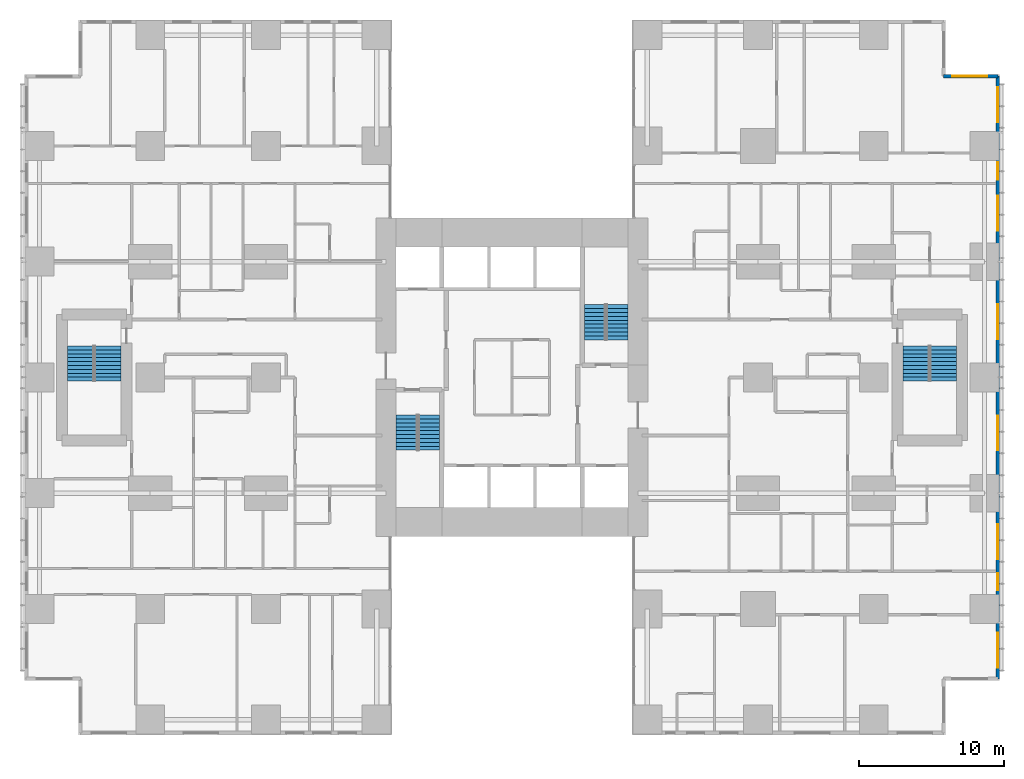
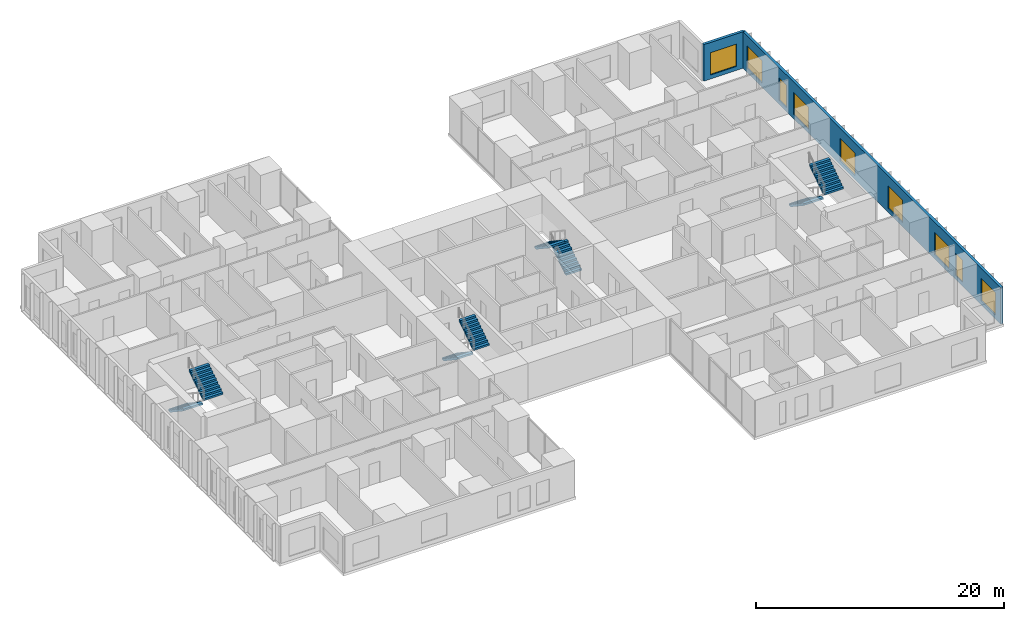
# One storey, part 19 of 20: 9 windows, 8 stair flights, 2 walls, 9 openings, 4 elements without a shape of their own.
"""IFC4 building model written with IfcOpenShell, lengths in metres."""

import ifcopenshell
import ifcopenshell.guid

model = None  # the IFC model being written
_history = None  # IfcOwnerHistory: only IFC2X3 demands one
_inside = {}  # id of a spatial element -> (the spatial element, [elements in it])
_under = {}  # id of a project, library or spatial element -> (it, [spatial elements below it])
_declared = {}  # id of a project -> (the project, [libraries it declares])
_typed = {}  # id of a type object -> (the type object, [elements of that type])
_made_of = {}  # id of a material, layer set ... -> (it, [elements and type objects made of it])


def new_model(schema):
    """Start an empty IFC model of exactly this schema.

    Asked for "IFC4X3", IfcOpenShell would pick the latest addendum, in which some entities
    have other attributes; the version numbers below select the first issue.
    IFC2X3 requires an IfcOwnerHistory on every rooted entity: one is made here for all.
    """
    global model, _history
    if schema == "IFC4X3":
        model = ifcopenshell.file(schema_version=(4, 3, 0, 0))
    else:
        model = ifcopenshell.file(schema=schema)
    _inside.clear()
    _under.clear()
    _declared.clear()
    _typed.clear()
    _made_of.clear()
    _history = None
    if model.schema == "IFC2X3":
        org = make("IfcOrganization", Name="unknown")
        user = make(
            "IfcPersonAndOrganization",
            ThePerson=make("IfcPerson", FamilyName="unknown"),
            TheOrganization=org,
        )
        app = make(
            "IfcApplication",
            ApplicationDeveloper=org,
            Version="unknown",
            ApplicationFullName="unknown",
            ApplicationIdentifier="unknown",
        )
        _history = make(
            "IfcOwnerHistory",
            OwningUser=user,
            OwningApplication=app,
            ChangeAction="ADDED",
            CreationDate=0,
        )
    return model


def make(cls, **values):
    """One entity of the class cls with the attributes given. An attribute that is None is left unset."""
    return model.create_entity(
        cls, **{name: value for name, value in values.items() if value is not None}
    )


def rooted(cls, **values):
    """An entity with a GlobalId (a new one), such as an element, a storey or a relation."""
    return make(cls, GlobalId=ifcopenshell.guid.new(), OwnerHistory=_history, **values)


def si_unit(unit_type, name, prefix=None):
    """IfcSIUnit, for example si_unit("LENGTHUNIT", "METRE", prefix="MILLI")."""
    return make("IfcSIUnit", UnitType=unit_type, Prefix=prefix, Name=name)


def assignment(units):
    """IfcUnitAssignment: the units of a project."""
    return None if units is None else make("IfcUnitAssignment", Units=units)


def point(xyz):
    """IfcCartesianPoint."""
    return None if xyz is None else make("IfcCartesianPoint", Coordinates=xyz)


def direction(xyz):
    """IfcDirection."""
    return None if xyz is None else make("IfcDirection", DirectionRatios=xyz)


def frame(location, z_axis=None, x_axis=None):
    """IfcAxis2Placement3D, a coordinate frame: its origin and axes. An axis left out is left unset."""
    return make(
        "IfcAxis2Placement3D",
        Location=point(location),
        Axis=direction(z_axis),
        RefDirection=direction(x_axis),
    )


def frame_2d(location, x_axis=None):
    """IfcAxis2Placement2D, a coordinate frame in the plane: its origin and x axis."""
    return make(
        "IfcAxis2Placement2D", Location=point(location), RefDirection=direction(x_axis)
    )


def origin():
    """The frame at (0, 0, 0) with its axes left unset."""
    return frame((0.0, 0.0, 0.0))


def place(relative_to, where):
    """IfcLocalPlacement: puts the frame where relative to a parent placement (None: the world)."""
    return make(
        "IfcLocalPlacement", PlacementRelTo=relative_to, RelativePlacement=where
    )


def context(
    kind, dimensions, precision=None, world=None, true_north=None, identifier=None
):
    """IfcGeometricRepresentationContext, for example the 3D "Model" context."""
    return make(
        "IfcGeometricRepresentationContext",
        ContextIdentifier=identifier,
        ContextType=kind,
        CoordinateSpaceDimension=dimensions,
        Precision=precision,
        WorldCoordinateSystem=world,
        TrueNorth=true_north,
    )


def subcontext(parent, identifier, kind, view, scale=None):
    """IfcGeometricRepresentationSubContext, for example "Body" below "Model"."""
    return make(
        "IfcGeometricRepresentationSubContext",
        ContextIdentifier=identifier,
        ContextType=kind,
        ParentContext=parent,
        TargetScale=scale,
        TargetView=view,
    )


def project(units=None, contexts=None):
    """IfcProject with its units and contexts."""
    return rooted(
        "IfcProject",
        Name="project",
        RepresentationContexts=contexts,
        UnitsInContext=assignment(units),
    )


def spatial(cls, under=None, at=None, **own):
    """A site, building, storey or space (cls), placed at a placement, below another one or the project."""
    s = rooted(cls, ObjectPlacement=at, **own)
    if under is not None:
        _under.setdefault(under.id(), (under, []))[1].append(s)
    return s


def polyline(points):
    """IfcPolyline through the points."""
    return make("IfcPolyline", Points=[point(p) for p in points])


def profile(cls, at=None, kind="AREA", **sizes):
    """A parametric profile (cls). Its sizes go by their IFC names, for example OverallWidth=200.0."""
    return make(cls, ProfileType=kind, Position=at, **sizes)


def rectangle(**sizes):
    """IfcRectangleProfileDef."""
    return profile("IfcRectangleProfileDef", **sizes)


def outline(outer, holes=None, kind="AREA"):
    """IfcArbitraryClosedProfileDef: a profile drawn as a closed curve; with holes, ...WithVoids."""
    if holes is None:
        return make("IfcArbitraryClosedProfileDef", ProfileType=kind, OuterCurve=outer)
    return make(
        "IfcArbitraryProfileDefWithVoids",
        ProfileType=kind,
        OuterCurve=outer,
        InnerCurves=holes,
    )


def extrude(swept, where, along, depth):
    """IfcExtrudedAreaSolid: the profile swept, set in the frame where, extruded along a direction by depth."""
    return make(
        "IfcExtrudedAreaSolid",
        SweptArea=swept,
        Position=where,
        ExtrudedDirection=direction(along),
        Depth=depth,
    )


def shape(context_of_items, identifier, shape_type, items):
    """IfcShapeRepresentation: the items that make up one representation, for example the "Body"."""
    return make(
        "IfcShapeRepresentation",
        ContextOfItems=context_of_items,
        RepresentationIdentifier=identifier,
        RepresentationType=shape_type,
        Items=items,
    )


def material(Name=None, Category=None):
    """IfcMaterial."""
    return make("IfcMaterial", Name=Name, Category=Category)


def layer(
    of_material, thickness, ventilated=None, Name=None, Category=None, Priority=None
):
    """IfcMaterialLayer: one layer of a wall or slab, of a material (None: an air gap)."""
    return make(
        "IfcMaterialLayer",
        Material=of_material,
        LayerThickness=thickness,
        IsVentilated=ventilated,
        Name=Name,
        Category=Category,
        Priority=Priority,
    )


def layer_set(layers, Name=None):
    """IfcMaterialLayerSet."""
    return make("IfcMaterialLayerSet", MaterialLayers=layers, LayerSetName=Name)


def made_of(thing, what):
    """Note that an element or type object is made of a material, layer set ...; save() writes the relation."""
    if what is not None:
        _made_of.setdefault(what.id(), (what, []))[1].append(thing)
    return thing


def type_object(cls, material=None, **own):
    """A type object (cls), such as IfcWallType, which elements share."""
    return made_of(rooted(cls, **own), material)


def element(
    cls,
    number,
    at=None,
    inside=None,
    cuts=None,
    type_object=None,
    material=None,
    context=None,
    identifier="Body",
    shape_type=None,
    held_by="IfcProductDefinitionShape",
    body=None,
    shapes=None,
    **own,
):
    """One element of the class cls, such as IfcWall. Its Tag is "e" and its number.

    at: its placement. inside: the storey or other place that contains it. cuts: it is an
    opening in that element (IfcRelVoidsElement). A single representation is given by context,
    identifier, shape_type and body (its items); several are given by shapes. held_by: the class
    of the entity that holds the representations. save() writes the other relations.
    """
    e = rooted(cls, Tag="e%d" % number, ObjectPlacement=at, **own)
    if body is not None:
        shapes = [shape(context, identifier, shape_type, body)]
    if shapes is not None:
        e.Representation = make(held_by, Representations=shapes)
    if inside is not None:
        _inside.setdefault(inside.id(), (inside, []))[1].append(e)
    if cuts is not None:
        rooted(
            "IfcRelVoidsElement", RelatingBuildingElement=cuts, RelatedOpeningElement=e
        )
    if type_object is not None:
        _typed.setdefault(type_object.id(), (type_object, []))[1].append(e)
    return made_of(e, material)


def fill(opening, filler):
    """IfcRelFillsElement: the door or window that sits in an opening."""
    return rooted(
        "IfcRelFillsElement",
        RelatingOpeningElement=opening,
        RelatedBuildingElement=filler,
    )


def aggregate(whole, parts):
    """IfcRelAggregates: a whole, such as a stair, and the parts it consists of."""
    return rooted("IfcRelAggregates", RelatingObject=whole, RelatedObjects=parts)


def save(model, path):
    """Write the relations noted so far, then the file.

    IfcRelAggregates (storeys below a building ...), IfcRelContainedInSpatialStructure (elements
    in a storey), IfcRelDefinesByType, IfcRelAssociatesMaterial and IfcRelDeclares: one each for
    every whole, place, type object, material and project.
    """
    for whole, parts in _under.values():
        aggregate(whole, parts)
    for where, things in _inside.values():
        rooted(
            "IfcRelContainedInSpatialStructure",
            RelatedElements=things,
            RelatingStructure=where,
        )
    for kind, things in _typed.values():
        rooted("IfcRelDefinesByType", RelatedObjects=things, RelatingType=kind)
    for what, things in _made_of.values():
        rooted("IfcRelAssociatesMaterial", RelatedObjects=things, RelatingMaterial=what)
    for by, libraries in _declared.values():
        rooted("IfcRelDeclares", RelatingContext=by, RelatedDefinitions=libraries)
    model.write(path)


model = new_model("IFC4")

# Units and contexts
model_context = context("Model", 3, precision=1e-05, world=origin(), true_north=direction((0.0, 1.0)))
body_context = subcontext(model_context, "Body", "Model", "MODEL_VIEW")
ifc_project = project(units=[si_unit("LENGTHUNIT", "METRE"), si_unit("AREAUNIT", "SQUARE_METRE"), si_unit("VOLUMEUNIT", "CUBIC_METRE"), si_unit("PLANEANGLEUNIT", "RADIAN"), si_unit("MASSUNIT", "GRAM", prefix="KILO")], contexts=[model_context])

# Site, building, storey
site_placement = place(None, origin())
site = spatial("IfcSite", under=ifc_project, at=site_placement, CompositionType="ELEMENT")
building_placement = place(site_placement, origin())
building = spatial("IfcBuilding", under=site, at=building_placement, Name="Cleftline Residences", CompositionType="ELEMENT")
storey_placement = place(building_placement, frame((0.0, 0.0, 103.39990234375)))
storey = spatial("IfcBuildingStorey", under=building, at=storey_placement, Name="L26", CompositionType="ELEMENT", Elevation=103.39990234375)

# Wall, openings, windows
ifc_material_1 = material(Name="Rendered reinforced concrete blockwork", Category="masonry")
ifc_layer = layer(ifc_material_1, 0.25)
ifc_layer_set = layer_set([ifc_layer], Name="EXTERNAL WALL 250")
wall_type = type_object("IfcWallType", Name="EXTERNAL WALL 250", PredefinedType="SOLIDWALL", material=ifc_layer_set)
wall_1_placement = place(storey_placement, frame((66.574951171875, 3.175048828125, 0.0), z_axis=(0.0, 0.0, 1.0), x_axis=(0.0, 1.0, 0.0)))
wall_1 = element("IfcWall", 1, at=wall_1_placement, inside=storey, type_object=wall_type, Name="External wall", PredefinedType="SOLIDWALL", context=body_context, shape_type="SweptSolid", body=[
    extrude(rectangle(XDim=41.64990234375, YDim=0.25, at=frame_2d((20.824951171875, 0.0))), origin(), (0.0, 0.0, 1.0), 3.60009765625),
])
opening_1_placement = place(wall_1_placement, frame((0.77490234375, 0.0, 0.39990234375)))
opening_1 = element("IfcOpeningElement", 2, at=opening_1_placement, cuts=wall_1, Name="Opening W12", PredefinedType="OPENING", context=body_context, shape_type="SweptSolid", body=[
    extrude(rectangle(XDim=2.39990234375, YDim=2.199951171875, at=frame_2d((1.199951171875, 1.10009765625))), frame((0.0, 0.135009765625, 0.0), z_axis=(0.0, -1.0, 0.0), x_axis=(1.0, 0.0, 0.0)), (0.0, 0.0, 1.0), 0.27001953125),
])
opening_2_placement = place(wall_1_placement, frame((6.10009765625, 0.0, 0.39990234375)))
opening_2 = element("IfcOpeningElement", 3, at=opening_2_placement, cuts=wall_1, Name="Opening W11", PredefinedType="OPENING", context=body_context, shape_type="SweptSolid", body=[
    extrude(rectangle(XDim=1.199951171875, YDim=2.199951171875, at=frame_2d((0.60009765625, 1.10009765625))), frame((0.0, 0.135009765625, 0.0), z_axis=(0.0, -1.0, 0.0), x_axis=(1.0, 0.0, 0.0)), (0.0, 0.0, 1.0), 0.27001953125),
])
opening_3_placement = place(wall_1_placement, frame((8.27490234375, 0.0, 0.39990234375)))
opening_3 = element("IfcOpeningElement", 4, at=opening_3_placement, cuts=wall_1, Name="Opening W12", PredefinedType="OPENING", context=body_context, shape_type="SweptSolid", body=[
    extrude(rectangle(XDim=2.39990234375, YDim=2.199951171875, at=frame_2d((1.199951171875, 1.10009765625))), frame((0.0, 0.135009765625, 0.0), z_axis=(0.0, -1.0, 0.0), x_axis=(1.0, 0.0, 0.0)), (0.0, 0.0, 1.0), 0.27001953125),
])
opening_4_placement = place(wall_1_placement, frame((15.77490234375, 0.0, 0.39990234375)))
opening_4 = element("IfcOpeningElement", 5, at=opening_4_placement, cuts=wall_1, Name="Opening W12", PredefinedType="OPENING", context=body_context, shape_type="SweptSolid", body=[
    extrude(rectangle(XDim=2.39990234375, YDim=2.199951171875, at=frame_2d((1.199951171875, 1.10009765625))), frame((0.0, 0.135009765625, 0.0), z_axis=(0.0, -1.0, 0.0), x_axis=(1.0, 0.0, 0.0)), (0.0, 0.0, 1.0), 0.27001953125),
])
opening_5_placement = place(wall_1_placement, frame((23.47509765625, 0.0, 0.39990234375)))
opening_5 = element("IfcOpeningElement", 6, at=opening_5_placement, cuts=wall_1, Name="Opening W12", PredefinedType="OPENING", context=body_context, shape_type="SweptSolid", body=[
    extrude(rectangle(XDim=2.39990234375, YDim=2.199951171875, at=frame_2d((1.199951171875, 1.10009765625))), frame((0.0, 0.135009765625, 0.0), z_axis=(0.0, -1.0, 0.0), x_axis=(1.0, 0.0, 0.0)), (0.0, 0.0, 1.0), 0.27001953125),
])
opening_6_placement = place(wall_1_placement, frame((30.97509765625, 0.0, 0.39990234375)))
opening_6 = element("IfcOpeningElement", 7, at=opening_6_placement, cuts=wall_1, Name="Opening W12", PredefinedType="OPENING", context=body_context, shape_type="SweptSolid", body=[
    extrude(rectangle(XDim=2.39990234375, YDim=2.199951171875, at=frame_2d((1.199951171875, 1.10009765625))), frame((0.0, 0.135009765625, 0.0), z_axis=(0.0, -1.0, 0.0), x_axis=(1.0, 0.0, 0.0)), (0.0, 0.0, 1.0), 0.27001953125),
])
opening_7_placement = place(wall_1_placement, frame((34.5, 0.0, 0.39990234375)))
opening_7 = element("IfcOpeningElement", 8, at=opening_7_placement, cuts=wall_1, Name="Opening W11", PredefinedType="OPENING", context=body_context, shape_type="SweptSolid", body=[
    extrude(rectangle(XDim=1.199951171875, YDim=2.199951171875, at=frame_2d((0.60009765625, 1.10009765625))), frame((0.0, 0.135009765625, 0.0), z_axis=(0.0, -1.0, 0.0), x_axis=(1.0, 0.0, 0.0)), (0.0, 0.0, 1.0), 0.27001953125),
])
opening_8_placement = place(wall_1_placement, frame((38.47509765625, 0.0, 0.39990234375)))
opening_8 = element("IfcOpeningElement", 9, at=opening_8_placement, cuts=wall_1, Name="Opening W12", PredefinedType="OPENING", context=body_context, shape_type="SweptSolid", body=[
    extrude(rectangle(XDim=2.39990234375, YDim=2.199951171875, at=frame_2d((1.199951171875, 1.10009765625))), frame((0.0, 0.135009765625, 0.0), z_axis=(0.0, -1.0, 0.0), x_axis=(1.0, 0.0, 0.0)), (0.0, 0.0, 1.0), 0.27001953125),
])
ifc_material_2 = material(Name="Aluminium frame, clear double glazing", Category="aluminium")
window_type_1 = type_object("IfcWindowType", Name="WINDOW 1200X2200", PartitioningType="DOUBLE_PANEL_VERTICAL", PredefinedType="WINDOW", material=ifc_material_2)
window_1_placement = place(opening_2_placement, origin())
window_1 = element("IfcWindow", 10, at=window_1_placement, inside=storey, type_object=window_type_1, Name="Window", OverallHeight=2.199951171875, OverallWidth=1.199951171875, PartitioningType="SINGLE_PANEL", PredefinedType="WINDOW", context=body_context, shape_type="SweptSolid", body=[
    extrude(rectangle(XDim=1.199951171875, YDim=2.199951171875, at=frame_2d((0.60009765625, 1.10009765625))), frame((0.0, 0.030029296875, 0.0), z_axis=(0.0, -1.0, 0.0), x_axis=(1.0, 0.0, 0.0)), (0.0, 0.0, 1.0), 0.06005859375),
])
fill(opening_2, window_1)
window_2_placement = place(opening_7_placement, origin())
window_2 = element("IfcWindow", 11, at=window_2_placement, inside=storey, type_object=window_type_1, Name="Window", OverallHeight=2.199951171875, OverallWidth=1.199951171875, PartitioningType="SINGLE_PANEL", PredefinedType="WINDOW", context=body_context, shape_type="SweptSolid", body=[
    extrude(rectangle(XDim=1.199951171875, YDim=2.199951171875, at=frame_2d((0.60009765625, 1.10009765625))), frame((0.0, 0.030029296875, 0.0), z_axis=(0.0, -1.0, 0.0), x_axis=(1.0, 0.0, 0.0)), (0.0, 0.0, 1.0), 0.06005859375),
])
fill(opening_7, window_2)
ifc_material_3 = material(Name="Aluminium frame, clear double glazing", Category="aluminium")
window_type_2 = type_object("IfcWindowType", Name="WINDOW 2400X2200", PartitioningType="DOUBLE_PANEL_VERTICAL", PredefinedType="WINDOW", material=ifc_material_3)
window_3_placement = place(opening_1_placement, origin())
window_3 = element("IfcWindow", 12, at=window_3_placement, inside=storey, type_object=window_type_2, Name="Window", OverallHeight=2.199951171875, OverallWidth=2.39990234375, PartitioningType="SINGLE_PANEL", PredefinedType="WINDOW", context=body_context, shape_type="SweptSolid", body=[
    extrude(rectangle(XDim=2.39990234375, YDim=2.199951171875, at=frame_2d((1.199951171875, 1.10009765625))), frame((0.0, 0.030029296875, 0.0), z_axis=(0.0, -1.0, 0.0), x_axis=(1.0, 0.0, 0.0)), (0.0, 0.0, 1.0), 0.06005859375),
])
fill(opening_1, window_3)
window_4_placement = place(opening_3_placement, origin())
window_4 = element("IfcWindow", 13, at=window_4_placement, inside=storey, type_object=window_type_2, Name="Window", OverallHeight=2.199951171875, OverallWidth=2.39990234375, PartitioningType="SINGLE_PANEL", PredefinedType="WINDOW", context=body_context, shape_type="SweptSolid", body=[
    extrude(rectangle(XDim=2.39990234375, YDim=2.199951171875, at=frame_2d((1.199951171875, 1.10009765625))), frame((0.0, 0.030029296875, 0.0), z_axis=(0.0, -1.0, 0.0), x_axis=(1.0, 0.0, 0.0)), (0.0, 0.0, 1.0), 0.06005859375),
])
fill(opening_3, window_4)
window_5_placement = place(opening_4_placement, origin())
window_5 = element("IfcWindow", 14, at=window_5_placement, inside=storey, type_object=window_type_2, Name="Window", OverallHeight=2.199951171875, OverallWidth=2.39990234375, PartitioningType="SINGLE_PANEL", PredefinedType="WINDOW", context=body_context, shape_type="SweptSolid", body=[
    extrude(rectangle(XDim=2.39990234375, YDim=2.199951171875, at=frame_2d((1.199951171875, 1.10009765625))), frame((0.0, 0.030029296875, 0.0), z_axis=(0.0, -1.0, 0.0), x_axis=(1.0, 0.0, 0.0)), (0.0, 0.0, 1.0), 0.06005859375),
])
fill(opening_4, window_5)
window_6_placement = place(opening_5_placement, origin())
window_6 = element("IfcWindow", 15, at=window_6_placement, inside=storey, type_object=window_type_2, Name="Window", OverallHeight=2.199951171875, OverallWidth=2.39990234375, PartitioningType="SINGLE_PANEL", PredefinedType="WINDOW", context=body_context, shape_type="SweptSolid", body=[
    extrude(rectangle(XDim=2.39990234375, YDim=2.199951171875, at=frame_2d((1.199951171875, 1.10009765625))), frame((0.0, 0.030029296875, 0.0), z_axis=(0.0, -1.0, 0.0), x_axis=(1.0, 0.0, 0.0)), (0.0, 0.0, 1.0), 0.06005859375),
])
fill(opening_5, window_6)
window_7_placement = place(opening_6_placement, origin())
window_7 = element("IfcWindow", 16, at=window_7_placement, inside=storey, type_object=window_type_2, Name="Window", OverallHeight=2.199951171875, OverallWidth=2.39990234375, PartitioningType="SINGLE_PANEL", PredefinedType="WINDOW", context=body_context, shape_type="SweptSolid", body=[
    extrude(rectangle(XDim=2.39990234375, YDim=2.199951171875, at=frame_2d((1.199951171875, 1.10009765625))), frame((0.0, 0.030029296875, 0.0), z_axis=(0.0, -1.0, 0.0), x_axis=(1.0, 0.0, 0.0)), (0.0, 0.0, 1.0), 0.06005859375),
])
fill(opening_6, window_7)
window_8_placement = place(opening_8_placement, origin())
window_8 = element("IfcWindow", 17, at=window_8_placement, inside=storey, type_object=window_type_2, Name="Window", OverallHeight=2.199951171875, OverallWidth=2.39990234375, PartitioningType="SINGLE_PANEL", PredefinedType="WINDOW", context=body_context, shape_type="SweptSolid", body=[
    extrude(rectangle(XDim=2.39990234375, YDim=2.199951171875, at=frame_2d((1.199951171875, 1.10009765625))), frame((0.0, 0.030029296875, 0.0), z_axis=(0.0, -1.0, 0.0), x_axis=(1.0, 0.0, 0.0)), (0.0, 0.0, 1.0), 0.06005859375),
])
fill(opening_8, window_8)

# Wall, opening, window
wall_2_placement = place(storey_placement, frame((66.574951171875, 44.824951171875, 0.0), z_axis=(0.0, 0.0, 1.0), x_axis=(-1.0, 0.0, 0.0)))
wall_2 = element("IfcWall", 18, at=wall_2_placement, inside=storey, type_object=wall_type, Name="External wall", PredefinedType="SOLIDWALL", context=body_context, shape_type="SweptSolid", body=[
    extrude(rectangle(XDim=3.75, YDim=0.25, at=frame_2d((1.875, 0.0))), origin(), (0.0, 0.0, 1.0), 3.60009765625),
])
opening_9_placement = place(wall_2_placement, frame((0.737548828125, 0.0, 0.39990234375)))
opening_9 = element("IfcOpeningElement", 19, at=opening_9_placement, cuts=wall_2, Name="Opening W12", PredefinedType="OPENING", context=body_context, shape_type="SweptSolid", body=[
    extrude(rectangle(XDim=2.39990234375, YDim=2.199951171875, at=frame_2d((1.199951171875, 1.10009765625))), frame((0.0, 0.135009765625, 0.0), z_axis=(0.0, -1.0, 0.0), x_axis=(1.0, 0.0, 0.0)), (0.0, 0.0, 1.0), 0.27001953125),
])
window_9_placement = place(opening_9_placement, origin())
window_9 = element("IfcWindow", 20, at=window_9_placement, inside=storey, type_object=window_type_2, Name="Window", OverallHeight=2.199951171875, OverallWidth=2.39990234375, PartitioningType="SINGLE_PANEL", PredefinedType="WINDOW", context=body_context, shape_type="SweptSolid", body=[
    extrude(rectangle(XDim=2.39990234375, YDim=2.199951171875, at=frame_2d((1.199951171875, 1.10009765625))), frame((0.0, 0.030029296875, 0.0), z_axis=(0.0, -1.0, 0.0), x_axis=(1.0, 0.0, 0.0)), (0.0, 0.0, 1.0), 0.06005859375),
])
fill(opening_9, window_9)

# Stair, stair flights
ifc_material_4 = material(Name="Concrete B45, stone treads", Category="masonry")
stair_type_1 = type_object("IfcStairType", Name="STAIR A 1450 WIDE 180 RISER", PredefinedType="HALF_TURN_STAIR", material=ifc_material_4)
stair_1_placement = place(storey_placement, origin())
stair_1 = element("IfcStair", 21, at=stair_1_placement, inside=storey, type_object=stair_type_1, Name="Stair A L26", PredefinedType="HALF_TURN_STAIR")
ifc_material_5 = material(Name="Concrete B45", Category="concrete")
stair_flight_type_1 = type_object("IfcStairFlightType", Name="STAIR A FLIGHT 1450X180", PredefinedType="STRAIGHT", material=ifc_material_5)
stair_flight_1_placement = place(storey_placement, frame((25.72509765625, 21.39990234375, 0.0), z_axis=(0.0, 0.0, 1.0), x_axis=(0.0, -1.0, 0.0)))
stair_flight_1 = element("IfcStairFlight", 22, at=stair_flight_1_placement, type_object=stair_flight_type_1, Name="ST-A flight 1", NumberOfRisers=10, NumberOfTreads=9, PredefinedType="STRAIGHT", RiserHeight=0.18, TreadLength=0.27, context=body_context, shape_type="SweptSolid", body=[
    extrude(outline(polyline([(0.0, 0.0), (0.0, 0.013916015625), (0.0, 0.027587890625), (0.0, 0.04150390625), (0.0, 0.055419921875), (0.0, 0.0693359375), (0.0, 0.0830078125), (0.0, 0.096923828125), (0.0, 0.11083984375), (0.0, 0.12451171875), (0.0, 0.138427734375), (0.0, 0.15234375), (0.0, 0.166259765625), (0.0, 0.179931640625), (0.27001953125, 0.179931640625), (0.27001953125, 0.360107421875), (0.5400390625, 0.360107421875), (0.5400390625, 0.5400390625), (0.81005859375, 0.5400390625), (0.81005859375, 0.719970703125), (1.080078125, 0.719970703125), (1.080078125, 0.89990234375), (1.35009765625, 0.89990234375), (1.35009765625, 1.080078125), (1.6201171875, 1.080078125), (1.6201171875, 1.260009765625), (1.889892578125, 1.260009765625), (1.889892578125, 1.43994140625), (2.159912109375, 1.43994140625), (2.159912109375, 1.6201171875), (2.429931640625, 1.6201171875), (2.429931640625, 1.800048828125), (2.429931640625, 1.772216796875), (2.429931640625, 1.74462890625), (2.429931640625, 1.716796875), (2.429931640625, 1.689208984375), (2.429931640625, 1.661376953125), (2.429931640625, 1.6337890625), (2.429931640625, 1.60595703125), (2.429931640625, 1.578369140625), (2.429931640625, 1.550537109375), (2.429931640625, 1.52294921875), (2.429931640625, 1.495361328125), (2.429931640625, 1.467529296875), (2.429931640625, 1.43994140625), (0.270263671875, 0.0), (0.0, 0.0)])), frame((0.0, 0.72509765625, 0.0), z_axis=(0.0, -1.0, 0.0), x_axis=(1.0, 0.0, 0.0)), (0.0, 0.0, 1.0), 1.449951171875),
])
stair_flight_2_placement = place(storey_placement, frame((27.27490234375, 18.969970703125, 1.800048828125), z_axis=(0.0, 0.0, 1.0), x_axis=(0.0, 1.0, 0.0)))
stair_flight_2 = element("IfcStairFlight", 23, at=stair_flight_2_placement, type_object=stair_flight_type_1, Name="ST-A flight 2", NumberOfRisers=10, NumberOfTreads=9, PredefinedType="STRAIGHT", RiserHeight=0.18, TreadLength=0.27, context=body_context, shape_type="SweptSolid", body=[
    extrude(outline(polyline([(0.0, 0.0), (0.0, 0.013916015625), (0.0, 0.027587890625), (0.0, 0.04150390625), (0.0, 0.055419921875), (0.0, 0.0693359375), (0.0, 0.0830078125), (0.0, 0.096923828125), (0.0, 0.11083984375), (0.0, 0.12451171875), (0.0, 0.138427734375), (0.0, 0.15234375), (0.0, 0.166259765625), (0.0, 0.179931640625), (0.27001953125, 0.179931640625), (0.27001953125, 0.360107421875), (0.5400390625, 0.360107421875), (0.5400390625, 0.5400390625), (0.81005859375, 0.5400390625), (0.81005859375, 0.719970703125), (1.080078125, 0.719970703125), (1.080078125, 0.89990234375), (1.35009765625, 0.89990234375), (1.35009765625, 1.080078125), (1.6201171875, 1.080078125), (1.6201171875, 1.260009765625), (1.889892578125, 1.260009765625), (1.889892578125, 1.43994140625), (2.159912109375, 1.43994140625), (2.159912109375, 1.6201171875), (2.429931640625, 1.6201171875), (2.429931640625, 1.800048828125), (2.429931640625, 1.772216796875), (2.429931640625, 1.74462890625), (2.429931640625, 1.716796875), (2.429931640625, 1.689208984375), (2.429931640625, 1.661376953125), (2.429931640625, 1.6337890625), (2.429931640625, 1.60595703125), (2.429931640625, 1.578369140625), (2.429931640625, 1.550537109375), (2.429931640625, 1.52294921875), (2.429931640625, 1.495361328125), (2.429931640625, 1.467529296875), (2.429931640625, 1.43994140625), (0.270263671875, 0.0), (0.0, 0.0)])), frame((0.0, 0.72509765625, 0.0), z_axis=(0.0, -1.0, 0.0), x_axis=(1.0, 0.0, 0.0)), (0.0, 0.0, 1.0), 1.449951171875),
])
aggregate(stair_1, [stair_flight_1, stair_flight_2])

ifc_material_6 = material(Name="Concrete B45, stone treads", Category="masonry")
stair_type_2 = type_object("IfcStairType", Name="STAIR B 1450 WIDE 180 RISER", PredefinedType="HALF_TURN_STAIR", material=ifc_material_6)
stair_2_placement = place(storey_placement, origin())
stair_2 = element("IfcStair", 24, at=stair_2_placement, inside=storey, type_object=stair_type_2, Name="Stair B L26", PredefinedType="HALF_TURN_STAIR")
ifc_material_7 = material(Name="Concrete B45", Category="concrete")
stair_flight_type_2 = type_object("IfcStairFlightType", Name="STAIR B FLIGHT 1450X180", PredefinedType="STRAIGHT", material=ifc_material_7)
stair_flight_3_placement = place(storey_placement, frame((40.27490234375, 26.60009765625, 0.0), z_axis=(0.0, 0.0, 1.0), x_axis=(0.0, 1.0, 0.0)))
stair_flight_3 = element("IfcStairFlight", 25, at=stair_flight_3_placement, type_object=stair_flight_type_2, Name="ST-B flight 1", NumberOfRisers=10, NumberOfTreads=9, PredefinedType="STRAIGHT", RiserHeight=0.18, TreadLength=0.27, context=body_context, shape_type="SweptSolid", body=[
    extrude(outline(polyline([(0.0, 0.0), (0.0, 0.013916015625), (0.0, 0.027587890625), (0.0, 0.04150390625), (0.0, 0.055419921875), (0.0, 0.0693359375), (0.0, 0.0830078125), (0.0, 0.096923828125), (0.0, 0.11083984375), (0.0, 0.12451171875), (0.0, 0.138427734375), (0.0, 0.15234375), (0.0, 0.166259765625), (0.0, 0.179931640625), (0.27001953125, 0.179931640625), (0.27001953125, 0.360107421875), (0.5400390625, 0.360107421875), (0.5400390625, 0.5400390625), (0.81005859375, 0.5400390625), (0.81005859375, 0.719970703125), (1.080078125, 0.719970703125), (1.080078125, 0.89990234375), (1.35009765625, 0.89990234375), (1.35009765625, 1.080078125), (1.6201171875, 1.080078125), (1.6201171875, 1.260009765625), (1.889892578125, 1.260009765625), (1.889892578125, 1.43994140625), (2.159912109375, 1.43994140625), (2.159912109375, 1.6201171875), (2.429931640625, 1.6201171875), (2.429931640625, 1.800048828125), (2.429931640625, 1.772216796875), (2.429931640625, 1.74462890625), (2.429931640625, 1.716796875), (2.429931640625, 1.689208984375), (2.429931640625, 1.661376953125), (2.429931640625, 1.6337890625), (2.429931640625, 1.60595703125), (2.429931640625, 1.578369140625), (2.429931640625, 1.550537109375), (2.429931640625, 1.52294921875), (2.429931640625, 1.495361328125), (2.429931640625, 1.467529296875), (2.429931640625, 1.43994140625), (0.270263671875, 0.0), (0.0, 0.0)])), frame((0.0, 0.72509765625, 0.0), z_axis=(0.0, -1.0, 0.0), x_axis=(1.0, 0.0, 0.0)), (0.0, 0.0, 1.0), 1.449951171875),
])
stair_flight_4_placement = place(storey_placement, frame((38.72509765625, 29.030029296875, 1.800048828125), z_axis=(0.0, 0.0, 1.0), x_axis=(0.0, -1.0, 0.0)))
stair_flight_4 = element("IfcStairFlight", 26, at=stair_flight_4_placement, type_object=stair_flight_type_2, Name="ST-B flight 2", NumberOfRisers=10, NumberOfTreads=9, PredefinedType="STRAIGHT", RiserHeight=0.18, TreadLength=0.27, context=body_context, shape_type="SweptSolid", body=[
    extrude(outline(polyline([(0.0, 0.0), (0.0, 0.013916015625), (0.0, 0.027587890625), (0.0, 0.04150390625), (0.0, 0.055419921875), (0.0, 0.0693359375), (0.0, 0.0830078125), (0.0, 0.096923828125), (0.0, 0.11083984375), (0.0, 0.12451171875), (0.0, 0.138427734375), (0.0, 0.15234375), (0.0, 0.166259765625), (0.0, 0.179931640625), (0.27001953125, 0.179931640625), (0.27001953125, 0.360107421875), (0.5400390625, 0.360107421875), (0.5400390625, 0.5400390625), (0.81005859375, 0.5400390625), (0.81005859375, 0.719970703125), (1.080078125, 0.719970703125), (1.080078125, 0.89990234375), (1.35009765625, 0.89990234375), (1.35009765625, 1.080078125), (1.6201171875, 1.080078125), (1.6201171875, 1.260009765625), (1.889892578125, 1.260009765625), (1.889892578125, 1.43994140625), (2.159912109375, 1.43994140625), (2.159912109375, 1.6201171875), (2.429931640625, 1.6201171875), (2.429931640625, 1.800048828125), (2.429931640625, 1.772216796875), (2.429931640625, 1.74462890625), (2.429931640625, 1.716796875), (2.429931640625, 1.689208984375), (2.429931640625, 1.661376953125), (2.429931640625, 1.6337890625), (2.429931640625, 1.60595703125), (2.429931640625, 1.578369140625), (2.429931640625, 1.550537109375), (2.429931640625, 1.52294921875), (2.429931640625, 1.495361328125), (2.429931640625, 1.467529296875), (2.429931640625, 1.43994140625), (0.270263671875, 0.0), (0.0, 0.0)])), frame((0.0, 0.72509765625, 0.0), z_axis=(0.0, -1.0, 0.0), x_axis=(1.0, 0.0, 0.0)), (0.0, 0.0, 1.0), 1.449951171875),
])
aggregate(stair_2, [stair_flight_3, stair_flight_4])

ifc_material_8 = material(Name="Concrete B45, stone treads", Category="masonry")
stair_type_3 = type_object("IfcStairType", Name="STAIR E 1800 WIDE 180 RISER", PredefinedType="HALF_TURN_STAIR", material=ifc_material_8)
stair_3_placement = place(storey_placement, origin())
stair_3 = element("IfcStair", 27, at=stair_3_placement, inside=storey, type_object=stair_type_3, Name="Stair E L26", PredefinedType="HALF_TURN_STAIR")
ifc_material_9 = material(Name="Concrete B45", Category="concrete")
stair_flight_type_3 = type_object("IfcStairFlightType", Name="STAIR E FLIGHT 1800X180", PredefinedType="STRAIGHT", material=ifc_material_9)
stair_flight_5_placement = place(storey_placement, frame((60.925048828125, 26.175048828125, 0.0), z_axis=(0.0, 0.0, 1.0), x_axis=(0.0, -1.0, 0.0)))
stair_flight_5 = element("IfcStairFlight", 28, at=stair_flight_5_placement, type_object=stair_flight_type_3, Name="ST-E flight 1", NumberOfRisers=10, NumberOfTreads=9, PredefinedType="STRAIGHT", RiserHeight=0.18, TreadLength=0.27, context=body_context, shape_type="SweptSolid", body=[
    extrude(outline(polyline([(0.0, 0.0), (0.0, 0.013916015625), (0.0, 0.027587890625), (0.0, 0.04150390625), (0.0, 0.055419921875), (0.0, 0.0693359375), (0.0, 0.0830078125), (0.0, 0.096923828125), (0.0, 0.11083984375), (0.0, 0.12451171875), (0.0, 0.138427734375), (0.0, 0.15234375), (0.0, 0.166259765625), (0.0, 0.179931640625), (0.27001953125, 0.179931640625), (0.27001953125, 0.360107421875), (0.5400390625, 0.360107421875), (0.5400390625, 0.5400390625), (0.81005859375, 0.5400390625), (0.81005859375, 0.719970703125), (1.080078125, 0.719970703125), (1.080078125, 0.89990234375), (1.35009765625, 0.89990234375), (1.35009765625, 1.080078125), (1.6201171875, 1.080078125), (1.6201171875, 1.260009765625), (1.889892578125, 1.260009765625), (1.889892578125, 1.43994140625), (2.159912109375, 1.43994140625), (2.159912109375, 1.6201171875), (2.429931640625, 1.6201171875), (2.429931640625, 1.800048828125), (2.429931640625, 1.772216796875), (2.429931640625, 1.74462890625), (2.429931640625, 1.716796875), (2.429931640625, 1.689208984375), (2.429931640625, 1.661376953125), (2.429931640625, 1.6337890625), (2.429931640625, 1.60595703125), (2.429931640625, 1.578369140625), (2.429931640625, 1.550537109375), (2.429931640625, 1.52294921875), (2.429931640625, 1.495361328125), (2.429931640625, 1.467529296875), (2.429931640625, 1.43994140625), (0.270263671875, 0.0), (0.0, 0.0)])), frame((0.0, 0.89990234375, 0.0), z_axis=(0.0, -1.0, 0.0), x_axis=(1.0, 0.0, 0.0)), (0.0, 0.0, 1.0), 1.800048828125),
])
stair_flight_6_placement = place(storey_placement, frame((62.824951171875, 23.7451171875, 1.800048828125), z_axis=(0.0, 0.0, 1.0), x_axis=(0.0, 1.0, 0.0)))
stair_flight_6 = element("IfcStairFlight", 29, at=stair_flight_6_placement, type_object=stair_flight_type_3, Name="ST-E flight 2", NumberOfRisers=10, NumberOfTreads=9, PredefinedType="STRAIGHT", RiserHeight=0.18, TreadLength=0.27, context=body_context, shape_type="SweptSolid", body=[
    extrude(outline(polyline([(0.0, 0.0), (0.0, 0.013916015625), (0.0, 0.027587890625), (0.0, 0.04150390625), (0.0, 0.055419921875), (0.0, 0.0693359375), (0.0, 0.0830078125), (0.0, 0.096923828125), (0.0, 0.11083984375), (0.0, 0.12451171875), (0.0, 0.138427734375), (0.0, 0.15234375), (0.0, 0.166259765625), (0.0, 0.179931640625), (0.27001953125, 0.179931640625), (0.27001953125, 0.360107421875), (0.5400390625, 0.360107421875), (0.5400390625, 0.5400390625), (0.81005859375, 0.5400390625), (0.81005859375, 0.719970703125), (1.080078125, 0.719970703125), (1.080078125, 0.89990234375), (1.35009765625, 0.89990234375), (1.35009765625, 1.080078125), (1.6201171875, 1.080078125), (1.6201171875, 1.260009765625), (1.889892578125, 1.260009765625), (1.889892578125, 1.43994140625), (2.159912109375, 1.43994140625), (2.159912109375, 1.6201171875), (2.429931640625, 1.6201171875), (2.429931640625, 1.800048828125), (2.429931640625, 1.772216796875), (2.429931640625, 1.74462890625), (2.429931640625, 1.716796875), (2.429931640625, 1.689208984375), (2.429931640625, 1.661376953125), (2.429931640625, 1.6337890625), (2.429931640625, 1.60595703125), (2.429931640625, 1.578369140625), (2.429931640625, 1.550537109375), (2.429931640625, 1.52294921875), (2.429931640625, 1.495361328125), (2.429931640625, 1.467529296875), (2.429931640625, 1.43994140625), (0.270263671875, 0.0), (0.0, 0.0)])), frame((0.0, 0.89990234375, 0.0), z_axis=(0.0, -1.0, 0.0), x_axis=(1.0, 0.0, 0.0)), (0.0, 0.0, 1.0), 1.800048828125),
])
aggregate(stair_3, [stair_flight_5, stair_flight_6])

ifc_material_10 = material(Name="Concrete B45, stone treads", Category="masonry")
stair_type_4 = type_object("IfcStairType", Name="STAIR W 1800 WIDE 180 RISER", PredefinedType="HALF_TURN_STAIR", material=ifc_material_10)
stair_4_placement = place(storey_placement, origin())
stair_4 = element("IfcStair", 30, at=stair_4_placement, inside=storey, type_object=stair_type_4, Name="Stair W L26", PredefinedType="HALF_TURN_STAIR")
ifc_material_11 = material(Name="Concrete B45", Category="concrete")
stair_flight_type_4 = type_object("IfcStairFlightType", Name="STAIR W FLIGHT 1800X180", PredefinedType="STRAIGHT", material=ifc_material_11)
stair_flight_7_placement = place(storey_placement, frame((3.175048828125, 26.175048828125, 0.0), z_axis=(0.0, 0.0, 1.0), x_axis=(0.0, -1.0, 0.0)))
stair_flight_7 = element("IfcStairFlight", 31, at=stair_flight_7_placement, type_object=stair_flight_type_4, Name="ST-W flight 1", NumberOfRisers=10, NumberOfTreads=9, PredefinedType="STRAIGHT", RiserHeight=0.18, TreadLength=0.27, context=body_context, shape_type="SweptSolid", body=[
    extrude(outline(polyline([(0.0, 0.0), (0.0, 0.013916015625), (0.0, 0.027587890625), (0.0, 0.04150390625), (0.0, 0.055419921875), (0.0, 0.0693359375), (0.0, 0.0830078125), (0.0, 0.096923828125), (0.0, 0.11083984375), (0.0, 0.12451171875), (0.0, 0.138427734375), (0.0, 0.15234375), (0.0, 0.166259765625), (0.0, 0.179931640625), (0.27001953125, 0.179931640625), (0.27001953125, 0.360107421875), (0.5400390625, 0.360107421875), (0.5400390625, 0.5400390625), (0.81005859375, 0.5400390625), (0.81005859375, 0.719970703125), (1.080078125, 0.719970703125), (1.080078125, 0.89990234375), (1.35009765625, 0.89990234375), (1.35009765625, 1.080078125), (1.6201171875, 1.080078125), (1.6201171875, 1.260009765625), (1.889892578125, 1.260009765625), (1.889892578125, 1.43994140625), (2.159912109375, 1.43994140625), (2.159912109375, 1.6201171875), (2.429931640625, 1.6201171875), (2.429931640625, 1.800048828125), (2.429931640625, 1.772216796875), (2.429931640625, 1.74462890625), (2.429931640625, 1.716796875), (2.429931640625, 1.689208984375), (2.429931640625, 1.661376953125), (2.429931640625, 1.6337890625), (2.429931640625, 1.60595703125), (2.429931640625, 1.578369140625), (2.429931640625, 1.550537109375), (2.429931640625, 1.52294921875), (2.429931640625, 1.495361328125), (2.429931640625, 1.467529296875), (2.429931640625, 1.43994140625), (0.270263671875, 0.0), (0.0, 0.0)])), frame((0.0, 0.89990234375, 0.0), z_axis=(0.0, -1.0, 0.0), x_axis=(1.0, 0.0, 0.0)), (0.0, 0.0, 1.0), 1.800048828125),
])
stair_flight_8_placement = place(storey_placement, frame((5.074951171875, 23.7451171875, 1.800048828125), z_axis=(0.0, 0.0, 1.0), x_axis=(0.0, 1.0, 0.0)))
stair_flight_8 = element("IfcStairFlight", 32, at=stair_flight_8_placement, type_object=stair_flight_type_4, Name="ST-W flight 2", NumberOfRisers=10, NumberOfTreads=9, PredefinedType="STRAIGHT", RiserHeight=0.18, TreadLength=0.27, context=body_context, shape_type="SweptSolid", body=[
    extrude(outline(polyline([(0.0, 0.0), (0.0, 0.013916015625), (0.0, 0.027587890625), (0.0, 0.04150390625), (0.0, 0.055419921875), (0.0, 0.0693359375), (0.0, 0.0830078125), (0.0, 0.096923828125), (0.0, 0.11083984375), (0.0, 0.12451171875), (0.0, 0.138427734375), (0.0, 0.15234375), (0.0, 0.166259765625), (0.0, 0.179931640625), (0.27001953125, 0.179931640625), (0.27001953125, 0.360107421875), (0.5400390625, 0.360107421875), (0.5400390625, 0.5400390625), (0.81005859375, 0.5400390625), (0.81005859375, 0.719970703125), (1.080078125, 0.719970703125), (1.080078125, 0.89990234375), (1.35009765625, 0.89990234375), (1.35009765625, 1.080078125), (1.6201171875, 1.080078125), (1.6201171875, 1.260009765625), (1.889892578125, 1.260009765625), (1.889892578125, 1.43994140625), (2.159912109375, 1.43994140625), (2.159912109375, 1.6201171875), (2.429931640625, 1.6201171875), (2.429931640625, 1.800048828125), (2.429931640625, 1.772216796875), (2.429931640625, 1.74462890625), (2.429931640625, 1.716796875), (2.429931640625, 1.689208984375), (2.429931640625, 1.661376953125), (2.429931640625, 1.6337890625), (2.429931640625, 1.60595703125), (2.429931640625, 1.578369140625), (2.429931640625, 1.550537109375), (2.429931640625, 1.52294921875), (2.429931640625, 1.495361328125), (2.429931640625, 1.467529296875), (2.429931640625, 1.43994140625), (0.270263671875, 0.0), (0.0, 0.0)])), frame((0.0, 0.89990234375, 0.0), z_axis=(0.0, -1.0, 0.0), x_axis=(1.0, 0.0, 0.0)), (0.0, 0.0, 1.0), 1.800048828125),
])
aggregate(stair_4, [stair_flight_7, stair_flight_8])

save(model, "model.ifc")
